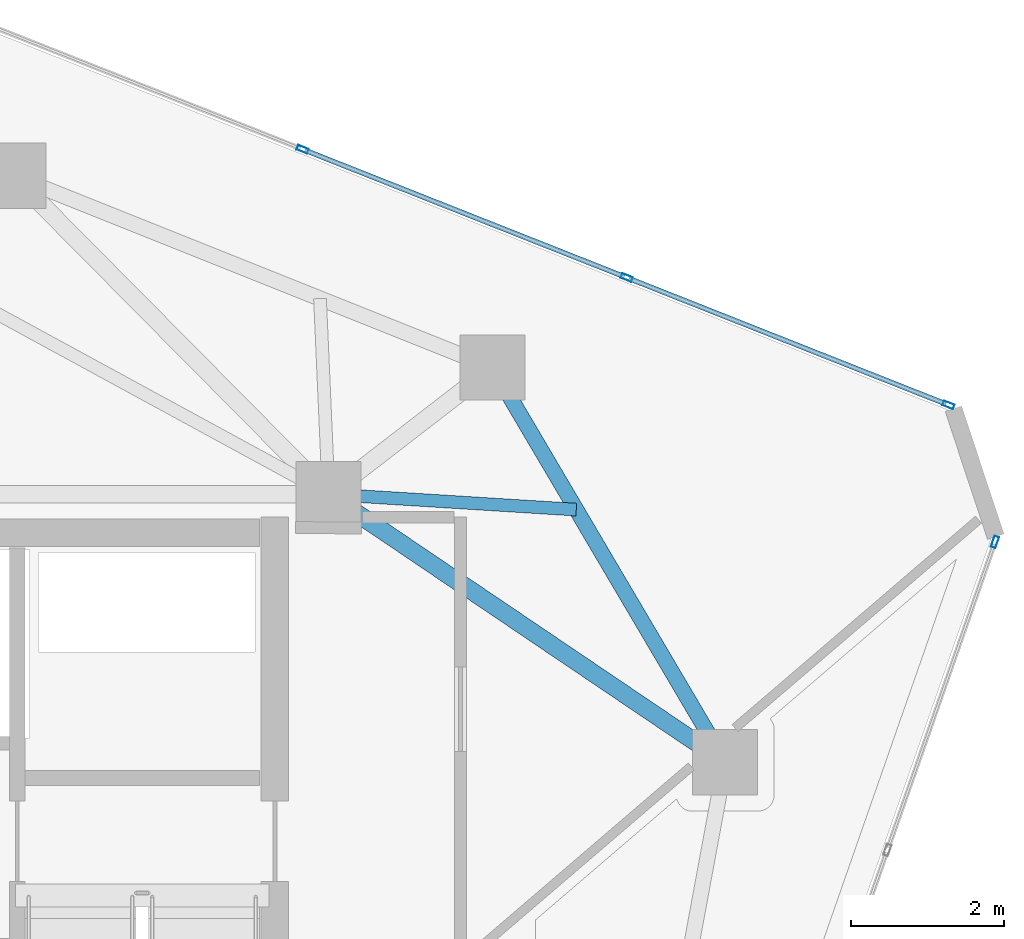
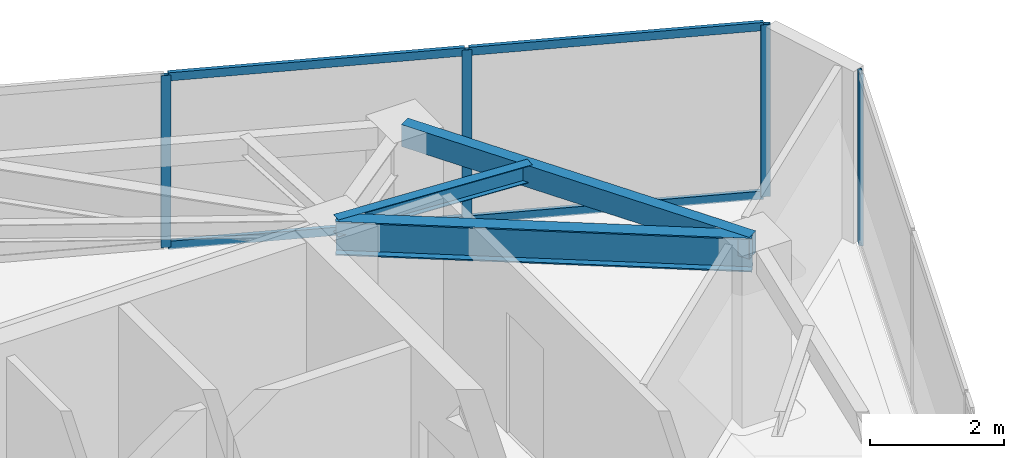
# One storey, part 14 of 21: 8 members, 3 beams, 2 elements without a shape of their own.
"""IFC4 building model written with IfcOpenShell, lengths in metres."""

from ifc_helpers import new_model, si_unit, direction, frame, origin, origin_2d, place, context, subcontext, project, spatial, hollow_rectangle, i_section, extrude, source, transform, mapped, material, layer, layer_set, material_profile, profile_set, type_object, type_shapes, element, aggregate, save


model = new_model("IFC4")

# Units and contexts
model_context = context("Model", 3, precision=1e-05, world=origin(), true_north=direction((0.0, 1.0)))
body_context = subcontext(model_context, "Body", "Model", "MODEL_VIEW")
ifc_project = project(units=[si_unit("LENGTHUNIT", "METRE"), si_unit("AREAUNIT", "SQUARE_METRE"), si_unit("VOLUMEUNIT", "CUBIC_METRE"), si_unit("PLANEANGLEUNIT", "RADIAN"), si_unit("MASSUNIT", "GRAM", prefix="KILO")], contexts=[model_context])

# Site, building, storey
site_placement = place(None, origin())
site = spatial("IfcSite", under=ifc_project, at=site_placement, CompositionType="ELEMENT")
building_placement = place(site_placement, origin())
building = spatial("IfcBuilding", under=site, at=building_placement, Name="Talar Marvaseh", CompositionType="ELEMENT")
storey_placement = place(building_placement, frame((0.0, 0.0, 264.60009765625)))
storey = spatial("IfcBuildingStorey", under=building, at=storey_placement, Name="L70", CompositionType="ELEMENT", Elevation=264.60009765625)

# Beams
ifc_material_1 = material(Name="Steel S355", Category="steel")
ifc_material_profile_1 = material_profile(ifc_material_1, hollow_rectangle(XDim=0.199951171875, YDim=0.39990234375, WallThickness=0.013916015625, at=origin_2d()), Name="RHS400x200x14")
ifc_profile_set_1 = profile_set([ifc_material_profile_1], Name="Steel S355")
beam_type_1 = type_object("IfcBeamType", Name="Zone 3 Perimeter Spandrel Beam RHS400x200x14", PredefinedType="SPANDREL", material=ifc_profile_set_1)
beam_1_placement = place(storey_placement, frame((35.43798828125, 38.551025390625, 2.93994140625), z_axis=(0.507825587611, -0.861459907696, 0.0), x_axis=(0.861459907696, 0.507825587611, 0.0)))
element("IfcBeam", 1, at=beam_1_placement, inside=storey, type_object=beam_type_1, Name="L70 Zone 3 Perimeter Spandrel Beam RHS400x200x14", PredefinedType="SPANDREL", context=body_context, shape_type="SweptSolid", body=[
    extrude(hollow_rectangle(XDim=0.199951171875, YDim=0.39990234375, WallThickness=0.013916015625, at=origin_2d()), origin(), (0.0, 0.0, 1.0), 5.972412109375),
])
ifc_material_profile_2 = material_profile(ifc_material_1, i_section(OverallWidth=0.166015625, OverallDepth=0.31298828125, WebThickness=0.006591796875, FlangeThickness=0.01123046875, at=origin_2d()), Name="W310x45")
ifc_profile_set_2 = profile_set([ifc_material_profile_2], Name="Steel S355")
beam_type_2 = type_object("IfcBeamType", Name="Zone 3 Secondary Floor Joist W310x45", PredefinedType="JOIST", material=ifc_profile_set_2)
beam_2_placement = place(storey_placement, frame((36.52978515625, 36.69873046875, 2.9833984375), z_axis=(-0.998065766367, 0.062166920515, 0.0), x_axis=(-0.062166920515, -0.998065766367, 0.0)))
element("IfcBeam", 2, at=beam_2_placement, inside=storey, type_object=beam_type_2, Name="L70 Zone 3 Secondary Floor Joist W310x45", PredefinedType="JOIST", context=body_context, shape_type="SweptSolid", body=[
    extrude(i_section(OverallWidth=0.166015625, OverallDepth=0.31298828125, WebThickness=0.006591796875, FlangeThickness=0.01123046875, at=origin_2d()), origin(), (0.0, 0.0, 1.0), 3.236083984375),
])
ifc_material_profile_3 = material_profile(ifc_material_1, i_section(OverallWidth=0.22998046875, OverallDepth=0.616943359375, WebThickness=0.01318359375, FlangeThickness=0.022216796875, at=origin_2d()), Name="W610x140")
ifc_profile_set_3 = profile_set([ifc_material_profile_3], Name="Steel S355")
beam_type_3 = type_object("IfcBeamType", Name="Zone 4 Radial Floor Girder W610x140", PredefinedType="BEAM", material=ifc_profile_set_3)
beam_3_placement = place(storey_placement, frame((38.470947265625, 33.406005859375, 2.831298828125), z_axis=(-0.828585535277, 0.559862492698, 0.0), x_axis=(-0.559862492698, -0.828585535277, 0.0)))
element("IfcBeam", 3, at=beam_3_placement, inside=storey, type_object=beam_type_3, Name="L70 Zone 4 Radial Floor Girder W610x140", PredefinedType="BEAM", context=body_context, shape_type="SweptSolid", body=[
    extrude(i_section(OverallWidth=0.22998046875, OverallDepth=0.616943359375, WebThickness=0.01318359375, FlangeThickness=0.022216796875, at=origin_2d()), origin(), (0.0, 0.0, 1.0), 6.24072265625),
])

# Curtain wall, members
ifc_material_2 = material(Name="Architectural Aluminium", Category="aluminium")
ifc_layer = layer(ifc_material_2, 0.179931640625)
ifc_layer_set = layer_set([ifc_layer], Name="Architectural Aluminium")
curtain_wall_type = type_object("IfcCurtainWallType", Name="Unitised High-Wind Sky Curtain Wall Z4", PredefinedType="NOTDEFINED", material=ifc_layer_set)
curtain_wall_1_placement = place(storey_placement, origin())
curtain_wall_1 = element("IfcCurtainWall", 4, at=curtain_wall_1_placement, inside=storey, type_object=curtain_wall_type, Name="L70 Unitised High-Wind Sky Curtain Wall Z4", PredefinedType="NOTDEFINED")
ifc_material_profile_4 = material_profile(ifc_material_2, hollow_rectangle(XDim=0.06494140625, YDim=0.14990234375, WallThickness=0.00390625, at=origin_2d()), Name="RHS150x65x4")
ifc_profile_set_4 = profile_set([ifc_material_profile_4], Name="Architectural Aluminium")
member_type_1 = type_object("IfcMemberType", Name="Unitised Curtain Wall Slim Mullion RHS150x65x4", PredefinedType="MULLION", material=ifc_profile_set_4)
shared_shape_1 = source(origin(), body_context, "Body", "SweptSolid", [
    extrude(hollow_rectangle(XDim=0.06494140625, YDim=0.14990234375, WallThickness=0.00390625, at=origin_2d()), origin(), (0.0, 0.0, 1.0), 3.139892578125),
])
type_shapes(member_type_1, [shared_shape_1])
member_1_placement = place(storey_placement, frame((32.961181640625, 41.397216796875, 0.0), z_axis=(0.0, 0.0, 1.0), x_axis=(0.368060075635, 0.929802011572, 0.0)))
member_1 = element("IfcMember", 5, at=member_1_placement, type_object=member_type_1, Name="CW-Z4 mullion 2", PredefinedType="MULLION", context=body_context, shape_type="MappedRepresentation", body=[
    mapped(shared_shape_1, transform((0.0, 0.0, 0.0), x_axis=(1.0, 0.0, 0.0), y_axis=(0.0, 1.0, 0.0), z_axis=(0.0, 0.0, 1.0), scale=1.0)),
])
member_2_placement = place(storey_placement, frame((37.18701171875, 39.724609375, 0.0), z_axis=(0.0, 0.0, 1.0), x_axis=(0.368060075635, 0.929802011572, 0.0)))
member_2 = element("IfcMember", 6, at=member_2_placement, type_object=member_type_1, Name="CW-Z4 mullion 3", PredefinedType="MULLION", context=body_context, shape_type="MappedRepresentation", body=[
    mapped(shared_shape_1, transform((0.0, 0.0, 0.0), x_axis=(1.0, 0.0, 0.0), y_axis=(0.0, 1.0, 0.0), z_axis=(0.0, 0.0, 1.0), scale=1.0)),
])
member_3_placement = place(storey_placement, frame((41.382568359375, 38.063720703125, 0.0), z_axis=(0.0, 0.0, 1.0), x_axis=(0.368060075635, 0.929802011572, 0.0)))
member_3 = element("IfcMember", 7, at=member_3_placement, type_object=member_type_1, Name="CW-Z4 mullion 4", PredefinedType="MULLION", context=body_context, shape_type="MappedRepresentation", body=[
    mapped(shared_shape_1, transform((0.0, 0.0, 0.0), x_axis=(1.0, 0.0, 0.0), y_axis=(0.0, 1.0, 0.0), z_axis=(0.0, 0.0, 1.0), scale=1.0)),
])

# Curtain wall, member
curtain_wall_2_placement = place(storey_placement, origin())
curtain_wall_2 = element("IfcCurtainWall", 8, at=curtain_wall_2_placement, inside=storey, type_object=curtain_wall_type, Name="L70 Unitised High-Wind Sky Curtain Wall Z4", PredefinedType="NOTDEFINED")
member_4_placement = place(storey_placement, frame((41.989501953125, 36.276611328125, 0.0), z_axis=(0.0, 0.0, 1.0), x_axis=(0.94403753333, -0.329838044597, 0.0)))
member_4 = element("IfcMember", 9, at=member_4_placement, type_object=member_type_1, Name="CW-Z4 mullion 1", PredefinedType="MULLION", context=body_context, shape_type="MappedRepresentation", body=[
    mapped(shared_shape_1, transform((0.0, 0.0, 0.0), x_axis=(1.0, 0.0, 0.0), y_axis=(0.0, 1.0, 0.0), z_axis=(0.0, 0.0, 1.0), scale=1.0)),
])
aggregate(curtain_wall_2, [member_4])

# Member
ifc_material_profile_5 = material_profile(ifc_material_2, hollow_rectangle(XDim=0.06494140625, YDim=0.14990234375, WallThickness=0.00390625, at=origin_2d()), Name="RHS150x65x4")
ifc_profile_set_5 = profile_set([ifc_material_profile_5], Name="Architectural Aluminium")
member_type_2 = type_object("IfcMemberType", Name="Unitised Curtain Wall Slim Transom RHS150x65x4", PredefinedType="USERDEFINED", material=ifc_profile_set_5)
shared_shape_2 = source(origin(), body_context, "Body", "SweptSolid", [
    extrude(hollow_rectangle(XDim=0.06494140625, YDim=0.14990234375, WallThickness=0.00390625, at=origin_2d()), origin(), (0.0, 0.0, 1.0), 4.479736328125),
])
member_5_placement = place(storey_placement, frame((32.991455078125, 41.38525390625, 0.032470703125), z_axis=(0.929812441209, -0.36803372695, 0.0), x_axis=(0.36803372695, 0.929812441209, 0.0)))
member_5 = element("IfcMember", 10, at=member_5_placement, type_object=member_type_2, Name="CW-Z4 transom 2.1", ObjectType="TRANSOM", PredefinedType="USERDEFINED", context=body_context, shape_type="MappedRepresentation", body=[
    mapped(shared_shape_2, transform((0.0, 0.0, 0.0), x_axis=(1.0, 0.0, 0.0), y_axis=(0.0, 1.0, 0.0), z_axis=(0.0, 0.0, 1.0), scale=1.0)),
])

member_6_placement = place(storey_placement, frame((32.991455078125, 41.38525390625, 3.107421875), z_axis=(0.929812441209, -0.36803372695, 0.0), x_axis=(0.36803372695, 0.929812441209, 0.0)))
member_6 = element("IfcMember", 11, at=member_6_placement, type_object=member_type_2, Name="CW-Z4 transom 2.2", ObjectType="TRANSOM", PredefinedType="USERDEFINED", context=body_context, shape_type="MappedRepresentation", body=[
    mapped(shared_shape_2, transform((0.0, 0.0, 0.0), x_axis=(1.0, 0.0, 0.0), y_axis=(0.0, 1.0, 0.0), z_axis=(0.0, 0.0, 1.0), scale=1.0)),
])

shared_shape_3 = source(origin(), body_context, "Body", "SweptSolid", [
    extrude(hollow_rectangle(XDim=0.06494140625, YDim=0.14990234375, WallThickness=0.00390625, at=origin_2d()), origin(), (0.0, 0.0, 1.0), 4.447509765625),
])
type_shapes(member_type_2, [shared_shape_2, shared_shape_3])
member_7_placement = place(storey_placement, frame((37.21728515625, 39.712646484375, 0.032470703125), z_axis=(0.929799568305, -0.368066247815, 0.0), x_axis=(0.368066247815, 0.929799568305, 0.0)))
member_7 = element("IfcMember", 12, at=member_7_placement, type_object=member_type_2, Name="CW-Z4 transom 3.1", ObjectType="TRANSOM", PredefinedType="USERDEFINED", context=body_context, shape_type="MappedRepresentation", body=[
    mapped(shared_shape_3, transform((0.0, 0.0, 0.0), x_axis=(1.0, 0.0, 0.0), y_axis=(0.0, 1.0, 0.0), z_axis=(0.0, 0.0, 1.0), scale=1.0)),
])

member_8_placement = place(storey_placement, frame((37.21728515625, 39.712646484375, 3.107421875), z_axis=(0.929799568305, -0.368066247815, 0.0), x_axis=(0.368066247815, 0.929799568305, 0.0)))
member_8 = element("IfcMember", 13, at=member_8_placement, type_object=member_type_2, Name="CW-Z4 transom 3.2", ObjectType="TRANSOM", PredefinedType="USERDEFINED", context=body_context, shape_type="MappedRepresentation", body=[
    mapped(shared_shape_3, transform((0.0, 0.0, 0.0), x_axis=(1.0, 0.0, 0.0), y_axis=(0.0, 1.0, 0.0), z_axis=(0.0, 0.0, 1.0), scale=1.0)),
])

aggregate(curtain_wall_1, [member_1, member_2, member_3, member_5, member_6, member_7, member_8])

save(model, "model.ifc")
